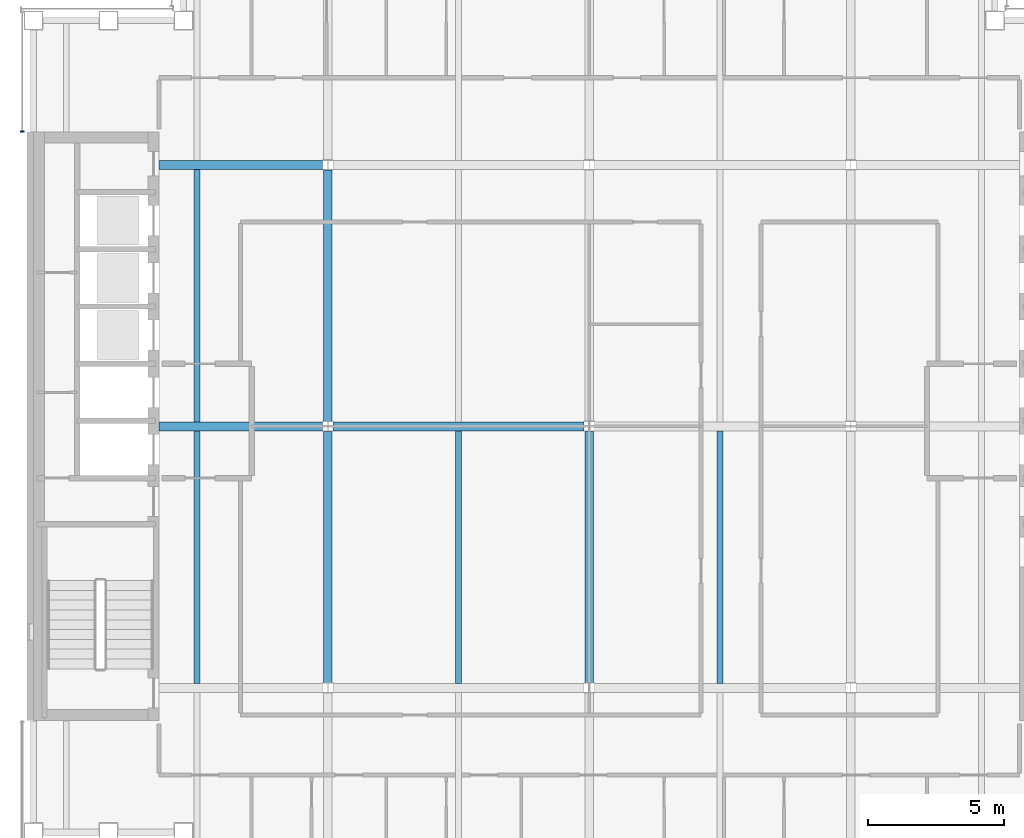
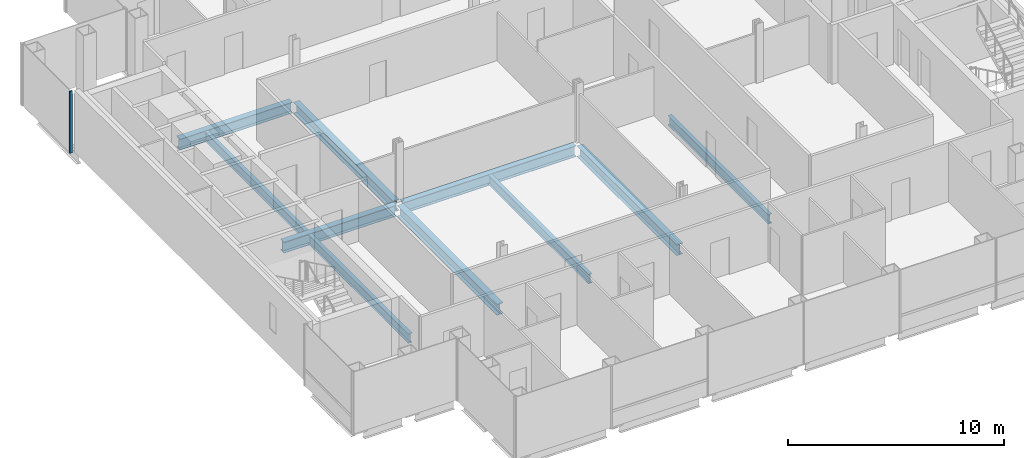
# One storey, part 4 of 15: 10 beams, 1 member, 1 element without a shape of its own.
"""IFC4 building model written with IfcOpenShell, lengths in metres."""

from ifc_helpers import new_model, si_unit, direction, frame, origin, origin_2d, place, context, subcontext, project, spatial, rectangle, i_section, extrude, material, material_profile, profile_set, type_object, element, aggregate, save


model = new_model("IFC4")

# Units and contexts
model_context = context("Model", 3, precision=1e-05, world=origin(), true_north=direction((0.0, 1.0)))
body_context = subcontext(model_context, "Body", "Model", "MODEL_VIEW")
ifc_project = project(units=[si_unit("LENGTHUNIT", "METRE"), si_unit("AREAUNIT", "SQUARE_METRE"), si_unit("VOLUMEUNIT", "CUBIC_METRE"), si_unit("PLANEANGLEUNIT", "RADIAN"), si_unit("MASSUNIT", "GRAM", prefix="KILO")], contexts=[model_context])

# Site, building, storey
site_placement = place(None, origin())
site = spatial("IfcSite", under=ifc_project, at=site_placement, CompositionType="ELEMENT")
building_placement = place(site_placement, origin())
building = spatial("IfcBuilding", under=site, at=building_placement, Name="Cobrizo Arcos Hotel Tower", CompositionType="ELEMENT")
storey_placement = place(building_placement, frame((0.0, 0.0, 201.5)))
storey = spatial("IfcBuildingStorey", under=building, at=storey_placement, Name="L52", CompositionType="ELEMENT", Elevation=201.5)

# Curtain wall, member
ifc_material_1 = material(Name="Aluminium 6063-T6 anodised bronze", Category="aluminium")
curtain_wall_type = type_object("IfcCurtainWallType", Name="CW-A guest facade", PredefinedType="NOTDEFINED", material=ifc_material_1)
curtain_wall_placement = place(storey_placement, origin())
curtain_wall = element("IfcCurtainWall", 1, at=curtain_wall_placement, inside=storey, type_object=curtain_wall_type, Name="CW-A L52 W face", PredefinedType="NOTDEFINED")
ifc_material_profile_1 = material_profile(ifc_material_1, rectangle(XDim=0.14990234375, YDim=0.06005859375, at=origin_2d()), Name="CW-A mullion 150x60")
ifc_profile_set_1 = profile_set([ifc_material_profile_1], Name="Aluminium 6063-T6 anodised bronze")
member_type = type_object("IfcMemberType", Name="CW-A mullion 150x60", PredefinedType="MULLION", material=ifc_profile_set_1)
member_placement = place(storey_placement, frame((-20.824951171875, 10.830078125, 0.0), z_axis=(0.0, 0.0, 1.0), x_axis=(-1.0, 0.0, 0.0)))
member = element("IfcMember", 2, at=member_placement, type_object=member_type, Name="CW-A mullion 2", PredefinedType="MULLION", context=body_context, shape_type="SweptSolid", body=[
    extrude(rectangle(XDim=0.14990234375, YDim=0.06005859375, at=origin_2d()), origin(), (0.0, 0.0, 1.0), 3.5),
])
aggregate(curtain_wall, [member])

# Beams
ifc_material_2 = material(Name="Steel ASTM A992 Grade 50", Category="steel")
ifc_material_profile_2 = material_profile(ifc_material_2, i_section(OverallWidth=0.209228515625, OverallDepth=0.533447265625, WebThickness=0.01025390625, FlangeThickness=0.015625, at=origin_2d()), Name="W21X62")
ifc_profile_set_2 = profile_set([ifc_material_profile_2], Name="Steel ASTM A992 Grade 50")
beam_type_1 = type_object("IfcBeamType", Name="W21X62 joist", PredefinedType="JOIST", material=ifc_profile_set_2)
for number, where, z_axis, x_axis, name in (
    (3, (-14.39990234375, -9.43603515625, -0.416748046875), (0.0, 1.0, 0.0), (-1.0, 0.0, 0.0), "Floor joist J1, L52, no. 004"),
    (4, (-14.39990234375, 0.163818359375, -0.416748046875), (0.0, 1.0, 0.0), (-1.0, 0.0, 0.0), "Floor joist J1, L52, no. 005"),
    (5, (-4.800048828125, -9.43603515625, -0.416748046875), (0.0, 1.0, 0.0), (-1.0, 0.0, 0.0), "Floor joist J1, L52, no. 008"),
    (6, (4.800048828125, -9.43603515625, -0.416748046875), (0.0, 1.0, 0.0), (-1.0, 0.0, 0.0), "Floor joist J1, L52, no. 012"),
):
    element("IfcBeam", number, at=place(storey_placement, frame(where, z_axis=z_axis, x_axis=x_axis)), inside=storey, type_object=beam_type_1, Name=name, PredefinedType="JOIST", context=body_context, shape_type="SweptSolid", body=[
        extrude(i_section(OverallWidth=0.209228515625, OverallDepth=0.533447265625, WebThickness=0.01025390625, FlangeThickness=0.015625, at=origin_2d()), origin(), (0.0, 0.0, 1.0), 9.272216796875),
    ])
ifc_material_profile_3 = material_profile(ifc_material_2, i_section(OverallWidth=0.32763671875, OverallDepth=0.622314453125, WebThickness=0.015380859375, FlangeThickness=0.0244140625, at=origin_2d()), Name="W24X131")
ifc_profile_set_3 = profile_set([ifc_material_profile_3], Name="Steel ASTM A992 Grade 50")
beam_type_2 = type_object("IfcBeamType", Name="W24X131 girder", PredefinedType="BEAM", material=ifc_profile_set_3)
beam_1_placement = place(storey_placement, frame((-15.7900390625, 0.0, -0.461181640625), z_axis=(1.0, 0.0, 0.0), x_axis=(0.0, 1.0, 0.0)))
element("IfcBeam", 7, at=beam_1_placement, inside=storey, type_object=beam_type_2, Name="Floor girder G1, L52, no. 005", PredefinedType="BEAM", context=body_context, shape_type="SweptSolid", body=[
    extrude(i_section(OverallWidth=0.32763671875, OverallDepth=0.622314453125, WebThickness=0.015380859375, FlangeThickness=0.0244140625, at=origin_2d()), origin(), (0.0, 0.0, 1.0), 6.00341796875),
])
beam_2_placement = place(storey_placement, frame((-9.413330078125, 0.0, -0.461181640625), z_axis=(1.0, 0.0, 0.0), x_axis=(0.0, 1.0, 0.0)))
element("IfcBeam", 8, at=beam_2_placement, inside=storey, type_object=beam_type_2, Name="Floor girder G1, L52, no. 006", PredefinedType="BEAM", context=body_context, shape_type="SweptSolid", body=[
    extrude(i_section(OverallWidth=0.32763671875, OverallDepth=0.622314453125, WebThickness=0.015380859375, FlangeThickness=0.0244140625, at=origin_2d()), origin(), (0.0, 0.0, 1.0), 9.2265625),
])
beam_3_placement = place(storey_placement, frame((-15.7900390625, 9.60009765625, -0.461181640625), z_axis=(1.0, 0.0, 0.0), x_axis=(0.0, 1.0, 0.0)))
element("IfcBeam", 9, at=beam_3_placement, inside=storey, type_object=beam_type_2, Name="Floor girder G1, L52, no. 009", PredefinedType="BEAM", context=body_context, shape_type="SweptSolid", body=[
    extrude(i_section(OverallWidth=0.32763671875, OverallDepth=0.622314453125, WebThickness=0.015380859375, FlangeThickness=0.0244140625, at=origin_2d()), origin(), (0.0, 0.0, 1.0), 6.00341796875),
])
for number, where, z_axis, x_axis, name in (
    (10, (-9.60009765625, -9.413330078125, -0.461181640625), (0.0, 1.0, 0.0), (-1.0, 0.0, 0.0), "Floor girder G1, L52, no. 014"),
    (11, (-9.60009765625, 0.186767578125, -0.461181640625), (0.0, 1.0, 0.0), (-1.0, 0.0, 0.0), "Floor girder G1, L52, no. 015"),
    (12, (0.0, -9.413330078125, -0.461181640625), (0.0, 1.0, 0.0), (-1.0, 0.0, 0.0), "Floor girder G1, L52, no. 018"),
):
    element("IfcBeam", number, at=place(storey_placement, frame(where, z_axis=z_axis, x_axis=x_axis)), inside=storey, type_object=beam_type_2, Name=name, PredefinedType="BEAM", context=body_context, shape_type="SweptSolid", body=[
        extrude(i_section(OverallWidth=0.32763671875, OverallDepth=0.622314453125, WebThickness=0.015380859375, FlangeThickness=0.0244140625, at=origin_2d()), origin(), (0.0, 0.0, 1.0), 9.2265625),
    ])

save(model, "model.ifc")
